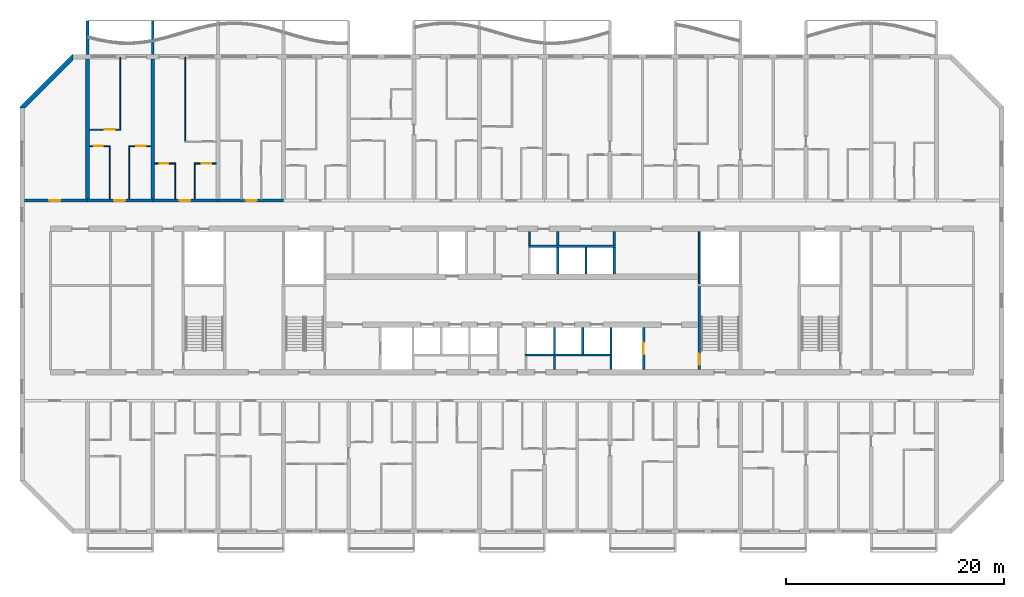
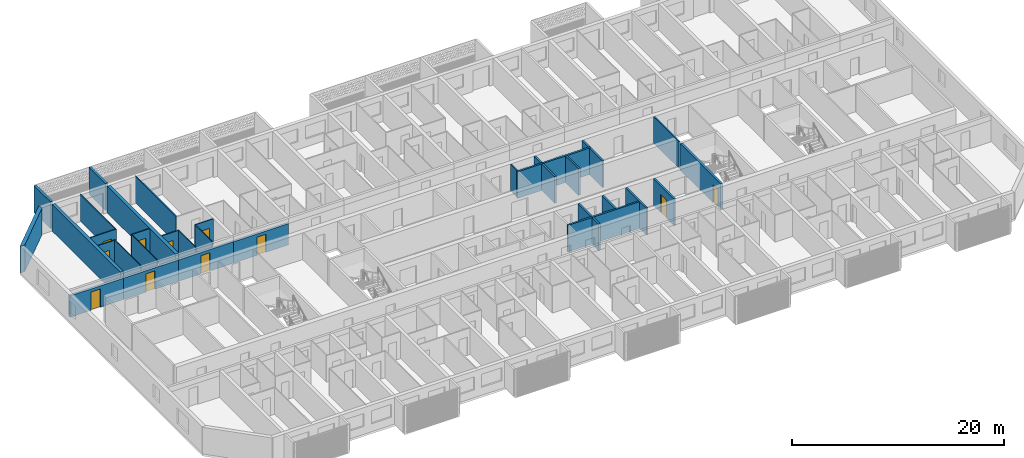
# One storey, part 9 of 26: 35 walls, 11 doors, 11 openings.
"""IFC4 building model written with IfcOpenShell, lengths in metres."""

from ifc_helpers import new_model, si_unit, direction, frame, frame_2d, origin, place, context, subcontext, project, spatial, polyline, rectangle, outline, extrude, source, transform, mapped, material, layer, layer_set, type_object, element, fill, save


model = new_model("IFC4")

# Units and contexts
model_context = context("Model", 3, precision=1e-05, world=origin(), true_north=direction((0.0, 1.0)))
body_context = subcontext(model_context, "Body", "Model", "MODEL_VIEW")
ifc_project = project(units=[si_unit("LENGTHUNIT", "METRE"), si_unit("AREAUNIT", "SQUARE_METRE"), si_unit("VOLUMEUNIT", "CUBIC_METRE"), si_unit("PLANEANGLEUNIT", "RADIAN"), si_unit("MASSUNIT", "GRAM", prefix="KILO")], contexts=[model_context])

# Site, building, storey
site_placement = place(None, origin())
site = spatial("IfcSite", under=ifc_project, at=site_placement, CompositionType="ELEMENT")
building_placement = place(site_placement, origin())
building = spatial("IfcBuilding", under=site, at=building_placement, Name="Poui Terraces", CompositionType="ELEMENT")
storey_placement = place(building_placement, frame((0.0, 0.0, 79.5)))
storey = spatial("IfcBuildingStorey", under=building, at=storey_placement, Name="L21", CompositionType="ELEMENT", Elevation=79.5)

# Wall
ifc_material_1 = material(Name="Fire-rated plasterboard wall")
ifc_layer_1 = layer(ifc_material_1, 0.14990234375)
ifc_layer_set_1 = layer_set([ifc_layer_1], Name="Fire-rated plasterboard wall")
wall_type_1 = type_object("IfcWallType", Name="CORRIDOR WALL 150", PredefinedType="PARTITIONING", material=ifc_layer_set_1)
wall_1_placement = place(storey_placement, frame((52.60009765625, 26.300048828125, 0.0), z_axis=(0.0, 0.0, 1.0), x_axis=(0.0, 1.0, 0.0)))
element("IfcWall", 1, at=wall_1_placement, inside=storey, type_object=wall_type_1, Name="CORRIDOR WALL 150", PredefinedType="PARTITIONING", context=body_context, shape_type="SweptSolid", body=[
    extrude(rectangle(XDim=1.239990234375, YDim=0.14990234375, at=frame_2d((0.6201171875, 0.0))), origin(), (0.0, 0.0, 1.0), 3.06005859375),
])

# Wall, opening, door
ifc_material_2 = material(Name="Concrete 65 MPa", Category="concrete")
ifc_layer_2 = layer(ifc_material_2, 0.25)
ifc_layer_set_2 = layer_set([ifc_layer_2], Name="Concrete 65 MPa")
wall_type_2 = type_object("IfcWallType", Name="CORRIDOR WALL 250 65MPa", PredefinedType="SHEAR", material=ifc_layer_set_2)
wall_2_placement = place(storey_placement, frame((6.199951171875, 30.39990234375, 0.0), z_axis=(0.0, 0.0, 1.0), x_axis=(1.0, 0.0, 0.0)))
wall_2 = element("IfcWall", 2, at=wall_2_placement, inside=storey, type_object=wall_type_2, Name="CORRIDOR WALL LINE E BAY 1", PredefinedType="SHEAR", context=body_context, shape_type="SweptSolid", body=[
    extrude(rectangle(XDim=5.800048828125, YDim=0.25, at=frame_2d((2.89990234375, 0.0))), origin(), (0.0, 0.0, 1.0), 2.4599609375),
])
opening_1_placement = place(wall_2_placement, frame((2.300048828125, 0.0, 0.0)))
opening_1 = element("IfcOpeningElement", 3, at=opening_1_placement, cuts=wall_2, Name="Opening D100", PredefinedType="OPENING", context=body_context, shape_type="SweptSolid", body=[
    extrude(rectangle(XDim=1.0, YDim=2.10009765625, at=frame_2d((0.5, 1.050048828125))), frame((0.0, 0.135009765625, 0.0), z_axis=(0.0, -1.0, 0.0), x_axis=(1.0, 0.0, 0.0)), (0.0, 0.0, 1.0), 0.27001953125),
])
ifc_material_3 = material(Name="Solid core timber door", Category="wood")
door_type_1 = type_object("IfcDoorType", Name="ACCESSIBLE INTERNAL DOOR 1000 X 2100", OperationType="NOTDEFINED", PredefinedType="DOOR", material=ifc_material_3)
door_1_placement = place(opening_1_placement, origin())
door_1 = element("IfcDoor", 4, at=door_1_placement, inside=storey, type_object=door_type_1, Name="ACCESSIBLE INTERNAL DOOR 033", OperationType="SINGLE_SWING_LEFT", OverallHeight=2.10009765625, OverallWidth=1.0, PredefinedType="DOOR", context=body_context, shape_type="SweptSolid", body=[
    extrude(rectangle(XDim=1.0, YDim=2.10009765625, at=frame_2d((0.5, 1.050048828125))), frame((0.0, 0.02490234375, 0.0), z_axis=(0.0, -1.0, 0.0), x_axis=(1.0, 0.0, 0.0)), (0.0, 0.0, 1.0), 0.050048828125),
])
fill(opening_1, door_1)

wall_3_placement = place(storey_placement, frame((12.0, 30.39990234375, 0.0), z_axis=(0.0, 0.0, 1.0), x_axis=(1.0, 0.0, 0.0)))
wall_3 = element("IfcWall", 5, at=wall_3_placement, inside=storey, type_object=wall_type_2, Name="CORRIDOR WALL LINE E BAY 2", PredefinedType="SHEAR", context=body_context, shape_type="SweptSolid", body=[
    extrude(rectangle(XDim=6.0, YDim=0.25, at=frame_2d((3.0, 0.0))), origin(), (0.0, 0.0, 1.0), 2.4599609375),
])
opening_2_placement = place(wall_3_placement, frame((2.449951171875, 0.0, 0.0)))
opening_2 = element("IfcOpeningElement", 6, at=opening_2_placement, cuts=wall_3, Name="Opening FD30S", PredefinedType="OPENING", context=body_context, shape_type="SweptSolid", body=[
    extrude(rectangle(XDim=1.0, YDim=2.10009765625, at=frame_2d((0.5, 1.050048828125))), frame((0.0, 0.135009765625, 0.0), z_axis=(0.0, -1.0, 0.0), x_axis=(1.0, 0.0, 0.0)), (0.0, 0.0, 1.0), 0.27001953125),
])
ifc_material_4 = material(Name="Steel fire door", Category="steel")
door_type_2 = type_object("IfcDoorType", Name="FLAT ENTRANCE DOOR 1000 X 2100", OperationType="NOTDEFINED", PredefinedType="DOOR", material=ifc_material_4)
door_2_placement = place(opening_2_placement, origin())
door_2 = element("IfcDoor", 7, at=door_2_placement, inside=storey, type_object=door_type_2, Name="FLAT ENTRANCE DOOR 036", OperationType="SINGLE_SWING_LEFT", OverallHeight=2.10009765625, OverallWidth=1.0, PredefinedType="DOOR", context=body_context, shape_type="SweptSolid", body=[
    extrude(rectangle(XDim=1.0, YDim=2.10009765625, at=frame_2d((0.5, 1.050048828125))), frame((0.0, 0.02490234375, 0.0), z_axis=(0.0, -1.0, 0.0), x_axis=(1.0, 0.0, 0.0)), (0.0, 0.0, 1.0), 0.050048828125),
])
fill(opening_2, door_2)

wall_4_placement = place(storey_placement, frame((18.0, 30.39990234375, 0.0), z_axis=(0.0, 0.0, 1.0), x_axis=(1.0, 0.0, 0.0)))
wall_4 = element("IfcWall", 8, at=wall_4_placement, inside=storey, type_object=wall_type_2, Name="CORRIDOR WALL LINE E BAY 3", PredefinedType="SHEAR", context=body_context, shape_type="SweptSolid", body=[
    extrude(rectangle(XDim=6.0, YDim=0.25, at=frame_2d((3.0, 0.0))), origin(), (0.0, 0.0, 1.0), 2.4599609375),
])
opening_3_placement = place(wall_4_placement, frame((2.449951171875, 0.0, 0.0)))
opening_3 = element("IfcOpeningElement", 9, at=opening_3_placement, cuts=wall_4, Name="Opening FD30S", PredefinedType="OPENING", context=body_context, shape_type="SweptSolid", body=[
    extrude(rectangle(XDim=1.0, YDim=2.10009765625, at=frame_2d((0.5, 1.050048828125))), frame((0.0, 0.135009765625, 0.0), z_axis=(0.0, -1.0, 0.0), x_axis=(1.0, 0.0, 0.0)), (0.0, 0.0, 1.0), 0.27001953125),
])
door_3_placement = place(opening_3_placement, origin())
door_3 = element("IfcDoor", 10, at=door_3_placement, inside=storey, type_object=door_type_2, Name="FLAT ENTRANCE DOOR 039", OperationType="SINGLE_SWING_LEFT", OverallHeight=2.10009765625, OverallWidth=1.0, PredefinedType="DOOR", context=body_context, shape_type="SweptSolid", body=[
    extrude(rectangle(XDim=1.0, YDim=2.10009765625, at=frame_2d((0.5, 1.050048828125))), frame((0.0, 0.02490234375, 0.0), z_axis=(0.0, -1.0, 0.0), x_axis=(1.0, 0.0, 0.0)), (0.0, 0.0, 1.0), 0.050048828125),
])
fill(opening_3, door_3)

wall_5_placement = place(storey_placement, frame((24.0, 30.39990234375, 0.0), z_axis=(0.0, 0.0, 1.0), x_axis=(1.0, 0.0, 0.0)))
wall_5 = element("IfcWall", 11, at=wall_5_placement, inside=storey, type_object=wall_type_2, Name="CORRIDOR WALL LINE E BAY 4", PredefinedType="SHEAR", context=body_context, shape_type="SweptSolid", body=[
    extrude(rectangle(XDim=6.0, YDim=0.25, at=frame_2d((3.0, 0.0))), origin(), (0.0, 0.0, 1.0), 2.4599609375),
])
opening_4_placement = place(wall_5_placement, frame((2.550048828125, 0.0, 0.0)))
opening_4 = element("IfcOpeningElement", 12, at=opening_4_placement, cuts=wall_5, Name="Opening FD30S", PredefinedType="OPENING", context=body_context, shape_type="SweptSolid", body=[
    extrude(rectangle(XDim=1.0, YDim=2.10009765625, at=frame_2d((0.5, 1.050048828125))), frame((0.0, 0.135009765625, 0.0), z_axis=(0.0, -1.0, 0.0), x_axis=(1.0, 0.0, 0.0)), (0.0, 0.0, 1.0), 0.27001953125),
])
door_4_placement = place(opening_4_placement, origin())
door_4 = element("IfcDoor", 13, at=door_4_placement, inside=storey, type_object=door_type_2, Name="FLAT ENTRANCE DOOR 043", OperationType="SINGLE_SWING_RIGHT", OverallHeight=2.10009765625, OverallWidth=1.0, PredefinedType="DOOR", context=body_context, shape_type="SweptSolid", body=[
    extrude(rectangle(XDim=1.0, YDim=2.10009765625, at=frame_2d((0.5, 1.050048828125))), frame((0.0, 0.02490234375, 0.0), z_axis=(0.0, -1.0, 0.0), x_axis=(1.0, 0.0, 0.0)), (0.0, 0.0, 1.0), 0.050048828125),
])
fill(opening_4, door_4)

# Walls
ifc_layer_3 = layer(ifc_material_2, 0.35009765625)
ifc_layer_set_3 = layer_set([ifc_layer_3], Name="Concrete 65 MPa")
wall_type_3 = type_object("IfcWallType", Name="CROSS WALL 350 65MPa", PredefinedType="SHEAR", material=ifc_layer_set_3)
for number, where, z_axis, x_axis, name in (
    (14, (12.0, 30.52490234375, 0.0), (0.0, 0.0, 1.0), (0.0, 1.0, 0.0), "CROSS WALL LINE 3 NORTH"),
    (15, (18.0, 30.52490234375, 0.0), (0.0, 0.0, 1.0), (0.0, 1.0, 0.0), "CROSS WALL LINE 4 NORTH"),
):
    element("IfcWall", number, at=place(storey_placement, frame(where, z_axis=z_axis, x_axis=x_axis)), inside=storey, type_object=wall_type_3, Name=name, PredefinedType="SHEAR", context=body_context, shape_type="SweptSolid", body=[
        extrude(rectangle(XDim=12.875, YDim=0.35009765625, at=frame_2d((6.4375, 0.0))), origin(), (0.0, 0.0, 1.0), 3.06005859375),
    ])

# Wall, opening, door
ifc_material_5 = material(Name="Plasterboard partition")
ifc_layer_4 = layer(ifc_material_5, 0.10009765625)
ifc_layer_set_4 = layer_set([ifc_layer_4], Name="Plasterboard partition")
wall_type_4 = type_object("IfcWallType", Name="FLAT PARTITION 100", PredefinedType="PARTITIONING", material=ifc_layer_set_4)
wall_6_placement = place(storey_placement, frame((18.18505859375, 33.800048828125, 0.0), z_axis=(0.0, 0.0, 1.0), x_axis=(1.0, 0.0, 0.0)))
wall_6 = element("IfcWall", 16, at=wall_6_placement, inside=storey, type_object=wall_type_4, Name="FLAT PARTITION 100", PredefinedType="PARTITIONING", context=body_context, shape_type="SweptSolid", body=[
    extrude(rectangle(XDim=1.9150390625, YDim=0.10009765625, at=frame_2d((0.95751953125, 0.0))), origin(), (0.0, 0.0, 1.0), 3.06005859375),
])
opening_5_placement = place(wall_6_placement, frame((0.43994140625, 0.0, 0.0)))
opening_5 = element("IfcOpeningElement", 17, at=opening_5_placement, cuts=wall_6, Name="Opening D80", PredefinedType="OPENING", context=body_context, shape_type="SweptSolid", body=[
    extrude(rectangle(XDim=0.800048828125, YDim=2.10009765625, at=frame_2d((0.39990234375, 1.050048828125))), frame((0.0, 0.06005859375, 0.0), z_axis=(0.0, -1.0, 0.0), x_axis=(1.0, 0.0, 0.0)), (0.0, 0.0, 1.0), 0.1201171875),
])
door_type_3 = type_object("IfcDoorType", Name="BATHROOM, LAUNDRY AND STORE DOOR 800 X 2100", OperationType="NOTDEFINED", PredefinedType="DOOR", material=ifc_material_3)
door_5_placement = place(opening_5_placement, frame((0.800048828125, 0.0, 0.0), z_axis=(0.0, 0.0, 1.0), x_axis=(-1.0, 0.0, 0.0)))
door_5 = element("IfcDoor", 18, at=door_5_placement, inside=storey, type_object=door_type_3, Name="BATHROOM, LAUNDRY AND STORE DOOR 038", OperationType="SINGLE_SWING_RIGHT", OverallHeight=2.10009765625, OverallWidth=0.800048828125, PredefinedType="DOOR", context=body_context, shape_type="SweptSolid", body=[
    extrude(rectangle(XDim=0.800048828125, YDim=2.10009765625, at=frame_2d((0.39990234375, 1.050048828125))), frame((0.0, 0.02490234375, 0.0), z_axis=(0.0, -1.0, 0.0), x_axis=(1.0, 0.0, 0.0)), (0.0, 0.0, 1.0), 0.050048828125),
])
fill(opening_5, door_5)

wall_7_placement = place(storey_placement, frame((21.800048828125, 33.800048828125, 0.0), z_axis=(0.0, 0.0, 1.0), x_axis=(1.0, 0.0, 0.0)))
wall_7 = element("IfcWall", 19, at=wall_7_placement, inside=storey, type_object=wall_type_4, Name="FLAT PARTITION 100", PredefinedType="PARTITIONING", context=body_context, shape_type="SweptSolid", body=[
    extrude(rectangle(XDim=2.014892578125, YDim=0.10009765625, at=frame_2d((1.00732421875, 0.0))), origin(), (0.0, 0.0, 1.0), 3.06005859375),
])
opening_6_placement = place(wall_7_placement, frame((0.675048828125, 0.0, 0.0)))
opening_6 = element("IfcOpeningElement", 20, at=opening_6_placement, cuts=wall_7, Name="Opening D90", PredefinedType="OPENING", context=body_context, shape_type="SweptSolid", body=[
    extrude(rectangle(XDim=0.89990234375, YDim=2.10009765625, at=frame_2d((0.449951171875, 1.050048828125))), frame((0.0, 0.06005859375, 0.0), z_axis=(0.0, -1.0, 0.0), x_axis=(1.0, 0.0, 0.0)), (0.0, 0.0, 1.0), 0.1201171875),
])
door_type_4 = type_object("IfcDoorType", Name="INTERNAL DOOR 900 X 2100", OperationType="NOTDEFINED", PredefinedType="DOOR", material=ifc_material_3)
door_6_placement = place(opening_6_placement, frame((0.89990234375, 0.0, 0.0), z_axis=(0.0, 0.0, 1.0), x_axis=(-1.0, 0.0, 0.0)))
door_6 = element("IfcDoor", 21, at=door_6_placement, inside=storey, type_object=door_type_4, Name="INTERNAL DOOR 040", OperationType="SINGLE_SWING_LEFT", OverallHeight=2.10009765625, OverallWidth=0.89990234375, PredefinedType="DOOR", context=body_context, shape_type="SweptSolid", body=[
    extrude(rectangle(XDim=0.89990234375, YDim=2.10009765625, at=frame_2d((0.449951171875, 1.050048828125))), frame((0.0, 0.02490234375, 0.0), z_axis=(0.0, -1.0, 0.0), x_axis=(1.0, 0.0, 0.0)), (0.0, 0.0, 1.0), 0.050048828125),
])
fill(opening_6, door_6)

wall_8_placement = place(storey_placement, frame((12.18505859375, 35.39990234375, 0.0), z_axis=(0.0, 0.0, 1.0), x_axis=(1.0, 0.0, 0.0)))
wall_8 = element("IfcWall", 22, at=wall_8_placement, inside=storey, type_object=wall_type_4, Name="FLAT PARTITION 100", PredefinedType="PARTITIONING", context=body_context, shape_type="SweptSolid", body=[
    extrude(rectangle(XDim=1.9150390625, YDim=0.10009765625, at=frame_2d((0.95751953125, 0.0))), origin(), (0.0, 0.0, 1.0), 3.06005859375),
])
opening_7_placement = place(wall_8_placement, frame((0.43994140625, 0.0, 0.0)))
opening_7 = element("IfcOpeningElement", 23, at=opening_7_placement, cuts=wall_8, Name="Opening D80", PredefinedType="OPENING", context=body_context, shape_type="SweptSolid", body=[
    extrude(rectangle(XDim=0.800048828125, YDim=2.10009765625, at=frame_2d((0.39990234375, 1.050048828125))), frame((0.0, 0.06005859375, 0.0), z_axis=(0.0, -1.0, 0.0), x_axis=(1.0, 0.0, 0.0)), (0.0, 0.0, 1.0), 0.1201171875),
])
door_7_placement = place(opening_7_placement, frame((0.800048828125, 0.0, 0.0), z_axis=(0.0, 0.0, 1.0), x_axis=(-1.0, 0.0, 0.0)))
door_7 = element("IfcDoor", 24, at=door_7_placement, inside=storey, type_object=door_type_3, Name="BATHROOM, LAUNDRY AND STORE DOOR 034", OperationType="SINGLE_SWING_LEFT", OverallHeight=2.10009765625, OverallWidth=0.800048828125, PredefinedType="DOOR", context=body_context, shape_type="SweptSolid", body=[
    extrude(rectangle(XDim=0.800048828125, YDim=2.10009765625, at=frame_2d((0.39990234375, 1.050048828125))), frame((0.0, 0.02490234375, 0.0), z_axis=(0.0, -1.0, 0.0), x_axis=(1.0, 0.0, 0.0)), (0.0, 0.0, 1.0), 0.050048828125),
])
fill(opening_7, door_7)

wall_9_placement = place(storey_placement, frame((15.800048828125, 35.39990234375, 0.0), z_axis=(0.0, 0.0, 1.0), x_axis=(1.0, 0.0, 0.0)))
wall_9 = element("IfcWall", 25, at=wall_9_placement, inside=storey, type_object=wall_type_4, Name="FLAT PARTITION 100", PredefinedType="PARTITIONING", context=body_context, shape_type="SweptSolid", body=[
    extrude(rectangle(XDim=2.014892578125, YDim=0.10009765625, at=frame_2d((1.00732421875, 0.0))), origin(), (0.0, 0.0, 1.0), 3.06005859375),
])
opening_8_placement = place(wall_9_placement, frame((0.675048828125, 0.0, 0.0)))
opening_8 = element("IfcOpeningElement", 26, at=opening_8_placement, cuts=wall_9, Name="Opening D90", PredefinedType="OPENING", context=body_context, shape_type="SweptSolid", body=[
    extrude(rectangle(XDim=0.89990234375, YDim=2.10009765625, at=frame_2d((0.449951171875, 1.050048828125))), frame((0.0, 0.06005859375, 0.0), z_axis=(0.0, -1.0, 0.0), x_axis=(1.0, 0.0, 0.0)), (0.0, 0.0, 1.0), 0.1201171875),
])
door_8_placement = place(opening_8_placement, frame((0.89990234375, 0.0, 0.0), z_axis=(0.0, 0.0, 1.0), x_axis=(-1.0, 0.0, 0.0)))
door_8 = element("IfcDoor", 27, at=door_8_placement, inside=storey, type_object=door_type_4, Name="INTERNAL DOOR 037", OperationType="SINGLE_SWING_RIGHT", OverallHeight=2.10009765625, OverallWidth=0.89990234375, PredefinedType="DOOR", context=body_context, shape_type="SweptSolid", body=[
    extrude(rectangle(XDim=0.89990234375, YDim=2.10009765625, at=frame_2d((0.449951171875, 1.050048828125))), frame((0.0, 0.02490234375, 0.0), z_axis=(0.0, -1.0, 0.0), x_axis=(1.0, 0.0, 0.0)), (0.0, 0.0, 1.0), 0.050048828125),
])
fill(opening_8, door_8)

wall_10_placement = place(storey_placement, frame((12.18505859375, 36.89990234375, 0.0), z_axis=(0.0, 0.0, 1.0), x_axis=(1.0, 0.0, 0.0)))
wall_10 = element("IfcWall", 28, at=wall_10_placement, inside=storey, type_object=wall_type_4, Name="FLAT PARTITION 100", PredefinedType="PARTITIONING", context=body_context, shape_type="SweptSolid", body=[
    extrude(rectangle(XDim=2.864990234375, YDim=0.10009765625, at=frame_2d((1.4326171875, 0.0))), origin(), (0.0, 0.0, 1.0), 3.06005859375),
])
opening_9_placement = place(wall_10_placement, frame((1.4150390625, 0.0, 0.0)))
opening_9 = element("IfcOpeningElement", 29, at=opening_9_placement, cuts=wall_10, Name="Opening D90", PredefinedType="OPENING", context=body_context, shape_type="SweptSolid", body=[
    extrude(rectangle(XDim=0.89990234375, YDim=2.10009765625, at=frame_2d((0.449951171875, 1.050048828125))), frame((0.0, 0.06005859375, 0.0), z_axis=(0.0, -1.0, 0.0), x_axis=(1.0, 0.0, 0.0)), (0.0, 0.0, 1.0), 0.1201171875),
])
door_9_placement = place(opening_9_placement, frame((0.89990234375, 0.0, 0.0), z_axis=(0.0, 0.0, 1.0), x_axis=(-1.0, 0.0, 0.0)))
door_9 = element("IfcDoor", 30, at=door_9_placement, inside=storey, type_object=door_type_4, Name="INTERNAL DOOR 035", OperationType="SINGLE_SWING_RIGHT", OverallHeight=2.10009765625, OverallWidth=0.89990234375, PredefinedType="DOOR", context=body_context, shape_type="SweptSolid", body=[
    extrude(rectangle(XDim=0.89990234375, YDim=2.10009765625, at=frame_2d((0.449951171875, 1.050048828125))), frame((0.0, 0.02490234375, 0.0), z_axis=(0.0, -1.0, 0.0), x_axis=(1.0, 0.0, 0.0)), (0.0, 0.0, 1.0), 0.050048828125),
])
fill(opening_9, door_9)

# Walls
wall_11_placement = place(storey_placement, frame((14.050048828125, 30.534912109375, 0.0), z_axis=(0.0, 0.0, 1.0), x_axis=(0.0, 1.0, 0.0)))
element("IfcWall", 31, at=wall_11_placement, inside=storey, type_object=wall_type_4, Name="FLAT PARTITION 100", PredefinedType="PARTITIONING", context=body_context, shape_type="SweptSolid", body=[
    extrude(rectangle(XDim=4.815185546875, YDim=0.10009765625, at=frame_2d((2.40771484375, 0.0))), origin(), (0.0, 0.0, 1.0), 3.06005859375),
])
wall_12_placement = place(storey_placement, frame((15.0, 36.949951171875, 0.0), z_axis=(0.0, 0.0, 1.0), x_axis=(0.0, 1.0, 0.0)))
element("IfcWall", 32, at=wall_12_placement, inside=storey, type_object=wall_type_4, Name="FLAT PARTITION 100", PredefinedType="PARTITIONING", context=body_context, shape_type="SweptSolid", body=[
    extrude(rectangle(XDim=6.590087890625, YDim=0.10009765625, at=frame_2d((3.294921875, 0.0))), origin(), (0.0, 0.0, 1.0), 3.06005859375),
])
wall_13_placement = place(storey_placement, frame((15.85009765625, 30.534912109375, 0.0), z_axis=(0.0, 0.0, 1.0), x_axis=(0.0, 1.0, 0.0)))
element("IfcWall", 33, at=wall_13_placement, inside=storey, type_object=wall_type_4, Name="FLAT PARTITION 100", PredefinedType="PARTITIONING", context=body_context, shape_type="SweptSolid", body=[
    extrude(rectangle(XDim=4.815185546875, YDim=0.10009765625, at=frame_2d((2.40771484375, 0.0))), origin(), (0.0, 0.0, 1.0), 3.06005859375),
])
wall_14_placement = place(storey_placement, frame((20.050048828125, 30.534912109375, 0.0), z_axis=(0.0, 0.0, 1.0), x_axis=(0.0, 1.0, 0.0)))
element("IfcWall", 34, at=wall_14_placement, inside=storey, type_object=wall_type_4, Name="FLAT PARTITION 100", PredefinedType="PARTITIONING", context=body_context, shape_type="SweptSolid", body=[
    extrude(rectangle(XDim=3.215087890625, YDim=0.10009765625, at=frame_2d((1.607421875, 0.0))), origin(), (0.0, 0.0, 1.0), 3.06005859375),
])
wall_15_placement = place(storey_placement, frame((21.0, 35.85009765625, 0.0), z_axis=(0.0, 0.0, 1.0), x_axis=(0.0, 1.0, 0.0)))
element("IfcWall", 35, at=wall_15_placement, inside=storey, type_object=wall_type_4, Name="FLAT PARTITION 100", PredefinedType="PARTITIONING", context=body_context, shape_type="SweptSolid", body=[
    extrude(rectangle(XDim=7.68994140625, YDim=0.10009765625, at=frame_2d((3.844970703125, 0.0))), origin(), (0.0, 0.0, 1.0), 3.06005859375),
])
wall_16_placement = place(storey_placement, frame((21.85009765625, 30.534912109375, 0.0), z_axis=(0.0, 0.0, 1.0), x_axis=(0.0, 1.0, 0.0)))
element("IfcWall", 36, at=wall_16_placement, inside=storey, type_object=wall_type_4, Name="FLAT PARTITION 100", PredefinedType="PARTITIONING", context=body_context, shape_type="SweptSolid", body=[
    extrude(rectangle(XDim=3.215087890625, YDim=0.10009765625, at=frame_2d((1.607421875, 0.0))), origin(), (0.0, 0.0, 1.0), 3.06005859375),
])
ifc_material_6 = material(Name="Fire-rated masonry wall", Category="masonry")
ifc_layer_5 = layer(ifc_material_6, 0.199951171875)
ifc_layer_set_5 = layer_set([ifc_layer_5], Name="Fire-rated masonry wall")
wall_type_5 = type_object("IfcWallType", Name="PLANT ROOM WALL 200", PredefinedType="PARTITIONING", material=ifc_layer_set_5)
for number, where, z_axis, x_axis, name in (
    (37, (54.89990234375, 14.860107421875, 0.0), (0.0, 0.0, 1.0), (0.0, 1.0, 0.0), "PLANT ROOM WALL 200"),
    (38, (55.199951171875, 26.300048828125, 0.0), (0.0, 0.0, 1.0), (0.0, 1.0, 0.0), "PLANT ROOM WALL 200"),
    (39, (60.39990234375, 26.300048828125, 0.0), (0.0, 0.0, 1.0), (0.0, 1.0, 0.0), "PLANT ROOM WALL 200"),
):
    element("IfcWall", number, at=place(storey_placement, frame(where, z_axis=z_axis, x_axis=x_axis)), inside=storey, type_object=wall_type_5, Name=name, PredefinedType="PARTITIONING", context=body_context, shape_type="SweptSolid", body=[
        extrude(rectangle(XDim=1.239990234375, YDim=0.199951171875, at=frame_2d((0.6201171875, 0.0))), origin(), (0.0, 0.0, 1.0), 3.06005859375),
    ])
ifc_material_7 = material(Name="Fire-rated plasterboard riser wall")
ifc_layer_6 = layer(ifc_material_7, 0.14990234375)
ifc_layer_set_6 = layer_set([ifc_layer_6], Name="Fire-rated plasterboard riser wall")
wall_type_6 = type_object("IfcWallType", Name="RISER WALL 150", PredefinedType="PARTITIONING", material=ifc_layer_set_6)
wall_17_placement = place(storey_placement, frame((68.199951171875, 22.735107421875, 0.0), z_axis=(0.0, 0.0, 1.0), x_axis=(0.0, 1.0, 0.0)))
element("IfcWall", 40, at=wall_17_placement, inside=storey, type_object=wall_type_6, Name="RISER WALL 150", PredefinedType="PARTITIONING", context=body_context, shape_type="SweptSolid", body=[
    extrude(rectangle(XDim=4.804931640625, YDim=0.14990234375, at=frame_2d((2.40234375, 0.0))), origin(), (0.0, 0.0, 1.0), 3.06005859375),
])
ifc_material_8 = material(Name="Fire-rated masonry shaft wall", Category="masonry")
ifc_layer_7 = layer(ifc_material_8, 0.199951171875)
ifc_layer_set_7 = layer_set([ifc_layer_7], Name="Fire-rated masonry shaft wall")
wall_type_7 = type_object("IfcWallType", Name="SHAFT WALL 200", PredefinedType="PARTITIONING", material=ifc_layer_set_7)
wall_18_placement = place(storey_placement, frame((52.199951171875, 16.199951171875, 0.0), z_axis=(0.0, 0.0, 1.0), x_axis=(1.0, 0.0, 0.0)))
element("IfcWall", 41, at=wall_18_placement, inside=storey, type_object=wall_type_7, Name="SHAFT WALL 200", PredefinedType="PARTITIONING", context=body_context, shape_type="SweptSolid", body=[
    extrude(rectangle(XDim=7.800048828125, YDim=0.199951171875, at=frame_2d((3.89990234375, 0.0))), origin(), (0.0, 0.0, 1.0), 3.06005859375),
])
wall_19_placement = place(storey_placement, frame((52.5, 26.199951171875, 0.0), z_axis=(0.0, 0.0, 1.0), x_axis=(1.0, 0.0, 0.0)))
element("IfcWall", 42, at=wall_19_placement, inside=storey, type_object=wall_type_7, Name="SHAFT WALL 200", PredefinedType="PARTITIONING", context=body_context, shape_type="SweptSolid", body=[
    extrude(rectangle(XDim=8.0, YDim=0.199951171875, at=frame_2d((4.0, 0.0))), origin(), (0.0, 0.0, 1.0), 3.06005859375),
])
wall_20_placement = place(storey_placement, frame((54.89990234375, 16.300048828125, 0.0), z_axis=(0.0, 0.0, 1.0), x_axis=(0.0, 1.0, 0.0)))
element("IfcWall", 43, at=wall_20_placement, inside=storey, type_object=wall_type_7, Name="SHAFT WALL 200", PredefinedType="PARTITIONING", context=body_context, shape_type="SweptSolid", body=[
    extrude(rectangle(XDim=2.43994140625, YDim=0.199951171875, at=frame_2d((1.219970703125, 0.0))), origin(), (0.0, 0.0, 1.0), 3.06005859375),
])
wall_21_placement = place(storey_placement, frame((55.199951171875, 23.659912109375, 0.0), z_axis=(0.0, 0.0, 1.0), x_axis=(0.0, 1.0, 0.0)))
element("IfcWall", 44, at=wall_21_placement, inside=storey, type_object=wall_type_7, Name="SHAFT WALL 200", PredefinedType="PARTITIONING", context=body_context, shape_type="SweptSolid", body=[
    extrude(rectangle(XDim=2.440185546875, YDim=0.199951171875, at=frame_2d((1.22021484375, 0.0))), origin(), (0.0, 0.0, 1.0), 3.06005859375),
])
wall_22_placement = place(storey_placement, frame((57.5, 16.300048828125, 0.0), z_axis=(0.0, 0.0, 1.0), x_axis=(0.0, 1.0, 0.0)))
element("IfcWall", 45, at=wall_22_placement, inside=storey, type_object=wall_type_7, Name="SHAFT WALL 200", PredefinedType="PARTITIONING", context=body_context, shape_type="SweptSolid", body=[
    extrude(rectangle(XDim=2.43994140625, YDim=0.199951171875, at=frame_2d((1.219970703125, 0.0))), origin(), (0.0, 0.0, 1.0), 3.06005859375),
])
wall_23_placement = place(storey_placement, frame((57.800048828125, 23.659912109375, 0.0), z_axis=(0.0, 0.0, 1.0), x_axis=(0.0, 1.0, 0.0)))
element("IfcWall", 46, at=wall_23_placement, inside=storey, type_object=wall_type_7, Name="SHAFT WALL 200", PredefinedType="PARTITIONING", context=body_context, shape_type="SweptSolid", body=[
    extrude(rectangle(XDim=2.440185546875, YDim=0.199951171875, at=frame_2d((1.22021484375, 0.0))), origin(), (0.0, 0.0, 1.0), 3.06005859375),
])
wall_24_placement = place(storey_placement, frame((60.10009765625, 14.860107421875, 0.0), z_axis=(0.0, 0.0, 1.0), x_axis=(0.0, 1.0, 0.0)))
element("IfcWall", 47, at=wall_24_placement, inside=storey, type_object=wall_type_7, Name="SHAFT WALL 200", PredefinedType="PARTITIONING", context=body_context, shape_type="SweptSolid", body=[
    extrude(rectangle(XDim=3.8798828125, YDim=0.199951171875, at=frame_2d((1.93994140625, 0.0))), origin(), (0.0, 0.0, 1.0), 3.06005859375),
])
wall_25_placement = place(storey_placement, frame((60.39990234375, 23.659912109375, 0.0), z_axis=(0.0, 0.0, 1.0), x_axis=(0.0, 1.0, 0.0)))
element("IfcWall", 48, at=wall_25_placement, inside=storey, type_object=wall_type_7, Name="SHAFT WALL 200", PredefinedType="PARTITIONING", context=body_context, shape_type="SweptSolid", body=[
    extrude(rectangle(XDim=2.440185546875, YDim=0.199951171875, at=frame_2d((1.22021484375, 0.0))), origin(), (0.0, 0.0, 1.0), 3.06005859375),
])

# Wall, opening, door
wall_26_placement = place(storey_placement, frame((63.10009765625, 14.860107421875, 0.0), z_axis=(0.0, 0.0, 1.0), x_axis=(0.0, 1.0, 0.0)))
wall_26 = element("IfcWall", 49, at=wall_26_placement, inside=storey, type_object=wall_type_7, Name="SHAFT WALL 200", PredefinedType="PARTITIONING", context=body_context, shape_type="SweptSolid", body=[
    extrude(rectangle(XDim=3.8798828125, YDim=0.199951171875, at=frame_2d((1.93994140625, 0.0))), origin(), (0.0, 0.0, 1.0), 3.06005859375),
])
opening_10_placement = place(wall_26_placement, frame((1.389892578125, 0.0, 0.0)))
opening_10 = element("IfcOpeningElement", 50, at=opening_10_placement, cuts=wall_26, Name="Opening LD", PredefinedType="OPENING", context=body_context, shape_type="SweptSolid", body=[
    extrude(rectangle(XDim=1.10009765625, YDim=2.10009765625, at=frame_2d((0.550048828125, 1.050048828125))), frame((0.0, 0.10986328125, 0.0), z_axis=(0.0, -1.0, 0.0), x_axis=(1.0, 0.0, 0.0)), (0.0, 0.0, 1.0), 0.219970703125),
])
ifc_material_9 = material(Name="Stainless steel sliding door", Category="steel")
door_type_5 = type_object("IfcDoorType", Name="LIFT LANDING DOOR 1100 X 2100", OperationType="DOUBLE_DOOR_SLIDING", PredefinedType="DOOR", material=ifc_material_9)
door_10_placement = place(opening_10_placement, origin())
door_10 = element("IfcDoor", 51, at=door_10_placement, inside=storey, type_object=door_type_5, Name="LANDING DOOR", OperationType="DOUBLE_DOOR_SLIDING", OverallHeight=2.10009765625, OverallWidth=1.10009765625, PredefinedType="DOOR", context=body_context, shape_type="SweptSolid", body=[
    extrude(rectangle(XDim=1.10009765625, YDim=2.10009765625, at=frame_2d((0.550048828125, 1.050048828125))), frame((0.0, 0.02490234375, 0.0), z_axis=(0.0, -1.0, 0.0), x_axis=(1.0, 0.0, 0.0)), (0.0, 0.0, 1.0), 0.050048828125),
])
fill(opening_10, door_10)

ifc_layer_8 = layer(ifc_material_2, 0.25)
ifc_layer_set_8 = layer_set([ifc_layer_8], Name="Concrete 65 MPa")
wall_type_8 = type_object("IfcWallType", Name="STAIR CORE WALL 250 65 MPA", PredefinedType="SOLIDWALL", material=ifc_layer_set_8)
wall_27_placement = place(storey_placement, frame((68.199951171875, 14.85009765625, 0.0), z_axis=(0.0, 0.0, 1.0), x_axis=(0.0, 1.0, 0.0)))
wall_27 = element("IfcWall", 52, at=wall_27_placement, inside=storey, type_object=wall_type_8, Name="STAIR CORE WALL", PredefinedType="SOLIDWALL", context=body_context, shape_type="SweptSolid", body=[
    extrude(rectangle(XDim=7.625, YDim=0.25, at=frame_2d((3.8125, 0.0))), origin(), (0.0, 0.0, 1.0), 3.06005859375),
])
opening_11_placement = place(wall_27_placement, frame((0.449951171875, 0.0, 0.0)))
opening_11 = element("IfcOpeningElement", 53, at=opening_11_placement, cuts=wall_27, Name="Opening FD60S", PredefinedType="OPENING", context=body_context, shape_type="SweptSolid", body=[
    extrude(rectangle(XDim=1.0, YDim=2.10009765625, at=frame_2d((0.5, 1.050048828125))), frame((0.0, 0.135009765625, 0.0), z_axis=(0.0, -1.0, 0.0), x_axis=(1.0, 0.0, 0.0)), (0.0, 0.0, 1.0), 0.27001953125),
])
door_type_6 = type_object("IfcDoorType", Name="STAIR DOOR 1000 X 2100", OperationType="NOTDEFINED", PredefinedType="DOOR", material=ifc_material_4)
door_11_placement = place(opening_11_placement, frame((1.0, 0.0, 0.0), z_axis=(0.0, 0.0, 1.0), x_axis=(-1.0, 0.0, 0.0)))
door_11 = element("IfcDoor", 54, at=door_11_placement, inside=storey, type_object=door_type_6, Name="STAIR DOOR 136", OperationType="SINGLE_SWING_LEFT", OverallHeight=2.10009765625, OverallWidth=1.0, PredefinedType="DOOR", context=body_context, shape_type="SweptSolid", body=[
    extrude(rectangle(XDim=1.0, YDim=2.10009765625, at=frame_2d((0.5, 1.050048828125))), frame((0.0, 0.02490234375, 0.0), z_axis=(0.0, -1.0, 0.0), x_axis=(1.0, 0.0, 0.0)), (0.0, 0.0, 1.0), 0.050048828125),
])
fill(opening_11, door_11)

# Walls
ifc_material_10 = material(Name="Precast concrete 40 MPa", Category="concrete")
ifc_layer_9 = layer(ifc_material_10, 0.39990234375)
ifc_layer_set_9 = layer_set([ifc_layer_9], Name="Precast concrete 40 MPa")
wall_type_9 = type_object("IfcWallType", Name="TERRACOTTA CLAD CHAMFER WALL 400", PredefinedType="STANDARD", material=ifc_layer_set_9)
wall_28_placement = place(storey_placement, origin())
element("IfcWall", 55, at=wall_28_placement, inside=storey, type_object=wall_type_9, Name="CHAMFER WALL CH05", PredefinedType="STANDARD", context=body_context, shape_type="SweptSolid", body=[
    extrude(outline(polyline([(10.682861328125, 43.800048828125), (10.60009765625, 43.800048828125), (5.800048828125, 39.0), (5.800048828125, 38.917236328125), (6.28271484375, 38.917236328125), (10.682861328125, 43.317138671875), (10.682861328125, 43.800048828125)])), origin(), (0.0, 0.0, 1.0), 3.06005859375),
])
ifc_layer_10 = layer(ifc_material_10, 0.25)
ifc_layer_set_10 = layer_set([ifc_layer_10], Name="Precast concrete 40 MPa")
wall_type_10 = type_object("IfcWallType", Name="BALCONY FIN 250", PredefinedType="STANDARD", material=ifc_layer_set_10)
shared_shape = source(origin(), body_context, "Body", "SweptSolid", [
    extrude(outline(polyline([(0.0, 0.0), (0.25, 0.0), (0.25, 3.099853515625), (0.0, 3.099853515625), (0.0, 0.0)])), origin(), (0.0, 0.0, 1.0), 3.10009765625),
])
for number, where, name in (
    (56, (11.875, 43.800048828125, 0.0), "BALCONY FIN"),
    (57, (17.875, 43.800048828125, 0.0), "BALCONY FIN"),
):
    element("IfcWall", number, at=place(storey_placement, frame(where)), inside=storey, type_object=wall_type_10, Name=name, PredefinedType="STANDARD", context=body_context, shape_type="MappedRepresentation", body=[
        mapped(shared_shape, transform((0.0, 0.0, 0.0))),
    ])

save(model, "model.ifc")
